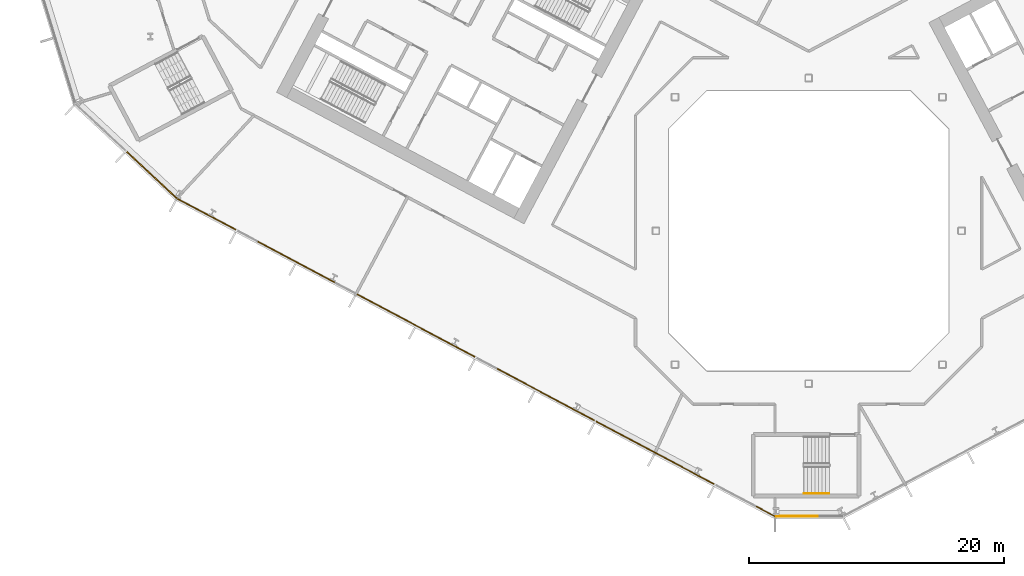
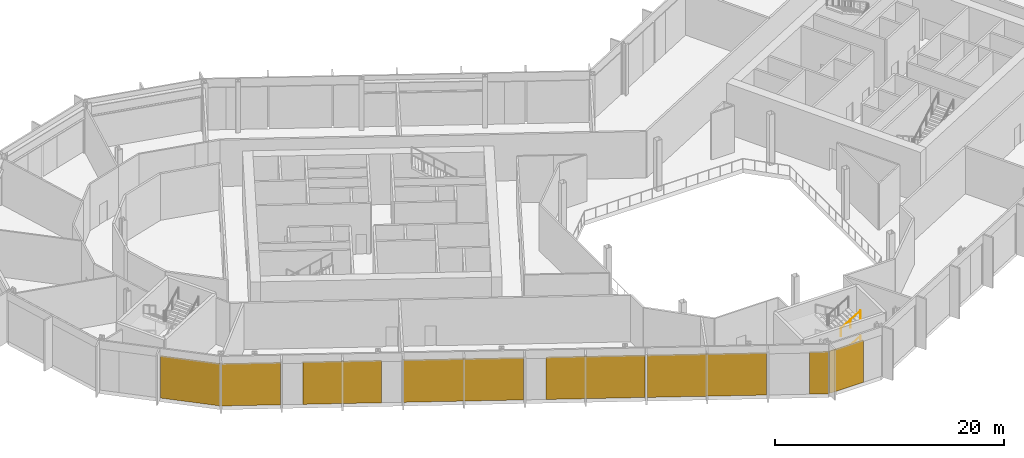
# One storey, part 19 of 31: 8 coverings, 2 railings, 3 elements without a shape of their own.
"""IFC4 building model written with IfcOpenShell, lengths in metres."""

from ifc_helpers import new_model, si_unit, direction, frame, origin, origin_2d, place, context, subcontext, project, spatial, polyline, rectangle, outline, extrude, material, layer, layer_set, type_object, element, aggregate, save


model = new_model("IFC4")

# Units and contexts
model_context = context("Model", 3, precision=1e-05, world=origin(), true_north=direction((0.0, 1.0)))
body_context = subcontext(model_context, "Body", "Model", "MODEL_VIEW")
ifc_project = project(units=[si_unit("LENGTHUNIT", "METRE"), si_unit("AREAUNIT", "SQUARE_METRE"), si_unit("VOLUMEUNIT", "CUBIC_METRE"), si_unit("PLANEANGLEUNIT", "RADIAN"), si_unit("MASSUNIT", "GRAM", prefix="KILO")], contexts=[model_context])

# Site, building, storey
site_placement = place(None, origin())
site = spatial("IfcSite", under=ifc_project, at=site_placement, CompositionType="ELEMENT")
building_placement = place(site_placement, origin())
building = spatial("IfcBuilding", under=site, at=building_placement, Name="Cormorant Relay Tower", CompositionType="ELEMENT")
storey_placement = place(building_placement, frame((0.0, 0.0, 50.0)))
storey = spatial("IfcBuildingStorey", under=building, at=storey_placement, Name="L09", CompositionType="ELEMENT", Elevation=50.0)

# Curtain wall, covering
ifc_material_1 = material(Name="Aluminium 6063-T6 anodised bronze", Category="aluminium")
ifc_layer_1 = layer(ifc_material_1, 0.235107421875)
ifc_layer_set_1 = layer_set([ifc_layer_1], Name="CW6 data hall curtain wall with mineral wool panels")
curtain_wall_type = type_object("IfcCurtainWallType", Name="CW6 data hall curtain wall with mineral wool panels", PredefinedType="NOTDEFINED", material=ifc_layer_set_1)
curtain_wall_1_placement = place(storey_placement, origin())
curtain_wall_1 = element("IfcCurtainWall", 1, at=curtain_wall_1_placement, inside=storey, type_object=curtain_wall_type, Name="CW6 curtain wall 1", PredefinedType="NOTDEFINED")
ifc_material_2 = material(Name="Mineral wool cored anodised bronze aluminium cassette panel", Category="aluminium")
ifc_layer_2 = layer(ifc_material_2, 0.074951171875)
ifc_layer_set_2 = layer_set([ifc_layer_2], Name="CW6 mineral wool cassette panel 75")
covering_type = type_object("IfcCoveringType", Name="CW6 mineral wool cassette panel 75", PredefinedType="CLADDING", material=ifc_layer_set_2)
covering_1_placement = place(storey_placement, frame((-0.862548828125, -22.4130859375, 0.0), z_axis=(0.0, 0.0, 1.0), x_axis=(1.0, 0.0, 0.0)))
covering_1 = element("IfcCovering", 2, at=covering_1_placement, type_object=covering_type, Name="CW6 panel S00", PredefinedType="CLADDING", context=body_context, shape_type="SweptSolid", body=[
    extrude(rectangle(XDim=3.422607421875, YDim=0.074951171875, at=origin_2d()), origin(), (0.0, 0.0, 1.0), 4.5),
])
aggregate(curtain_wall_1, [covering_1])

curtain_wall_2_placement = place(storey_placement, origin())
curtain_wall_2 = element("IfcCurtainWall", 3, at=curtain_wall_2_placement, inside=storey, type_object=curtain_wall_type, Name="CW6 curtain wall 13", PredefinedType="NOTDEFINED")
covering_2_placement = place(storey_placement, frame((-51.5771484375, 4.384765625, 0.0), z_axis=(0.0, 0.0, 1.0), x_axis=(0.731353701619, -0.681998360062, 0.0)))
covering_2 = element("IfcCovering", 4, at=covering_2_placement, type_object=covering_type, Name="CW6 panel S02", PredefinedType="CLADDING", context=body_context, shape_type="SweptSolid", body=[
    extrude(rectangle(XDim=5.360107421875, YDim=0.074951171875, at=origin_2d()), origin(), (0.0, 0.0, 1.0), 4.5),
])
aggregate(curtain_wall_2, [covering_2])

# Curtain wall, coverings
curtain_wall_3_placement = place(storey_placement, origin())
curtain_wall_3 = element("IfcCurtainWall", 5, at=curtain_wall_3_placement, inside=storey, type_object=curtain_wall_type, Name="CW6 curtain wall 14", PredefinedType="NOTDEFINED")
covering_3_placement = place(storey_placement, frame((-47.261962890625, 1.30322265625, 0.0), z_axis=(0.0, 0.0, 1.0), x_axis=(0.882947592859, -0.469471562786, 0.0)))
covering_3 = element("IfcCovering", 6, at=covering_3_placement, type_object=covering_type, Name="CW6 panel S00", PredefinedType="CLADDING", context=body_context, shape_type="SweptSolid", body=[
    extrude(rectangle(XDim=5.16650390625, YDim=0.074951171875, at=origin_2d()), origin(), (0.0, 0.0, 1.0), 4.5),
])
covering_4_placement = place(storey_placement, frame((-40.220703125, -2.44091796875, 0.0), z_axis=(0.0, 0.0, 1.0), x_axis=(0.882947592859, -0.469471562786, 0.0)))
covering_4 = element("IfcCovering", 7, at=covering_4_placement, type_object=covering_type, Name="CW6 panel S02", PredefinedType="CLADDING", context=body_context, shape_type="SweptSolid", body=[
    extrude(rectangle(XDim=6.88330078125, YDim=0.074951171875, at=origin_2d()), origin(), (0.0, 0.0, 1.0), 4.5),
])
covering_5_placement = place(storey_placement, frame((-30.83203125, -7.4326171875, 0.0), z_axis=(0.0, 0.0, 1.0), x_axis=(0.882947592859, -0.469471562786, 0.0)))
covering_5 = element("IfcCovering", 8, at=covering_5_placement, type_object=covering_type, Name="CW6 panel S04", PredefinedType="CLADDING", context=body_context, shape_type="SweptSolid", body=[
    extrude(rectangle(XDim=10.483154296875, YDim=0.074951171875, at=origin_2d()), origin(), (0.0, 0.0, 1.0), 4.5),
])
covering_6_placement = place(storey_placement, frame((-20.64892578125, -12.84716796875, 0.0), z_axis=(0.0, 0.0, 1.0), x_axis=(0.882947592859, -0.469471562786, 0.0)))
covering_6 = element("IfcCovering", 9, at=covering_6_placement, type_object=covering_type, Name="CW6 panel S06", PredefinedType="CLADDING", context=body_context, shape_type="SweptSolid", body=[
    extrude(rectangle(XDim=8.68310546875, YDim=0.074951171875, at=origin_2d()), origin(), (0.0, 0.0, 1.0), 4.5),
])
covering_7_placement = place(storey_placement, frame((-12.054931640625, -17.416748046875, 0.0), z_axis=(0.0, 0.0, 1.0), x_axis=(0.882947592859, -0.469471562786, 0.0)))
covering_7 = element("IfcCovering", 10, at=covering_7_placement, type_object=covering_type, Name="CW6 panel S07", PredefinedType="CLADDING", context=body_context, shape_type="SweptSolid", body=[
    extrude(rectangle(XDim=10.483154296875, YDim=0.074951171875, at=origin_2d()), origin(), (0.0, 0.0, 1.0), 4.5),
])
covering_8_placement = place(storey_placement, frame((-3.39111328125, -22.023193359375, 0.0), z_axis=(0.0, 0.0, 1.0), x_axis=(0.882947592859, -0.469471562786, 0.0)))
covering_8 = element("IfcCovering", 11, at=covering_8_placement, type_object=covering_type, Name="CW6 panel S09", PredefinedType="CLADDING", context=body_context, shape_type="SweptSolid", body=[
    extrude(rectangle(XDim=1.6416015625, YDim=0.074951171875, at=origin_2d()), origin(), (0.0, 0.0, 1.0), 4.5),
])
aggregate(curtain_wall_3, [covering_3, covering_4, covering_5, covering_6, covering_7, covering_8])

# Railings
ifc_material_3 = material(Name="Steel ASTM A572 Grade 50 (Fy 345 MPa)", Category="steel")
railing_type = type_object("IfcRailingType", Name="Stair handrail 900", PredefinedType="HANDRAIL", material=ifc_material_3)
for number, where, name in (
    (12, (-0.360107421875, -20.625, 1.518798828125), "L09 RK1 stair handrail 2"),
    (13, (-0.360107421875, -20.625, 4.21875), "L09 RK1 stair handrail 4"),
):
    element("IfcRailing", number, at=place(storey_placement, frame(where)), inside=storey, type_object=railing_type, Name=name, PredefinedType="HANDRAIL", context=body_context, shape_type="SweptSolid", body=[
        extrude(outline(polyline([(0.022216796875, 0.00927734375), (0.00927734375, 0.022216796875), (-0.00927734375, 0.022216796875), (-0.022216796875, 0.00927734375), (-0.022216796875, -0.00927734375), (-0.00927734375, -0.022216796875), (0.00927734375, -0.022216796875), (0.022216796875, -0.00927734375), (0.022216796875, 0.00927734375)])), frame((0.0, 0.0, 0.8759765625), z_axis=(0.856521883693, 0.0, 0.516110707847), x_axis=(0.0, 1.0, 0.0)), (0.0, 0.0, 1.0), 2.28857421875),
        extrude(outline(polyline([(0.019287109375, 0.008056640625), (0.008056640625, 0.019287109375), (-0.008056640625, 0.019287109375), (-0.019287109375, 0.008056640625), (-0.019287109375, -0.008056640625), (-0.008056640625, -0.019287109375), (0.008056640625, -0.019287109375), (0.019287109375, -0.008056640625), (0.019287109375, 0.008056640625)])), origin(), (0.0, 0.0, 1.0), 0.851806640625),
        extrude(outline(polyline([(0.019287109375, 0.008056640625), (0.008056640625, 0.019287109375), (-0.008056640625, 0.019287109375), (-0.019287109375, 0.008056640625), (-0.019287109375, -0.008056640625), (-0.008056640625, -0.019287109375), (0.008056640625, -0.019287109375), (0.019287109375, -0.008056640625), (0.019287109375, 0.008056640625)])), frame((0.97998046875, 0.0, 0.590576171875)), (0.0, 0.0, 1.0), 0.851806640625),
        extrude(outline(polyline([(0.019287109375, 0.008056640625), (0.008056640625, 0.019287109375), (-0.008056640625, 0.019287109375), (-0.019287109375, 0.008056640625), (-0.019287109375, -0.008056640625), (-0.008056640625, -0.019287109375), (0.008056640625, -0.019287109375), (0.019287109375, -0.008056640625), (0.019287109375, 0.008056640625)])), frame((1.960205078125, 0.0, 1.18115234375)), (0.0, 0.0, 1.0), 0.851806640625),
    ])

save(model, "model.ifc")
